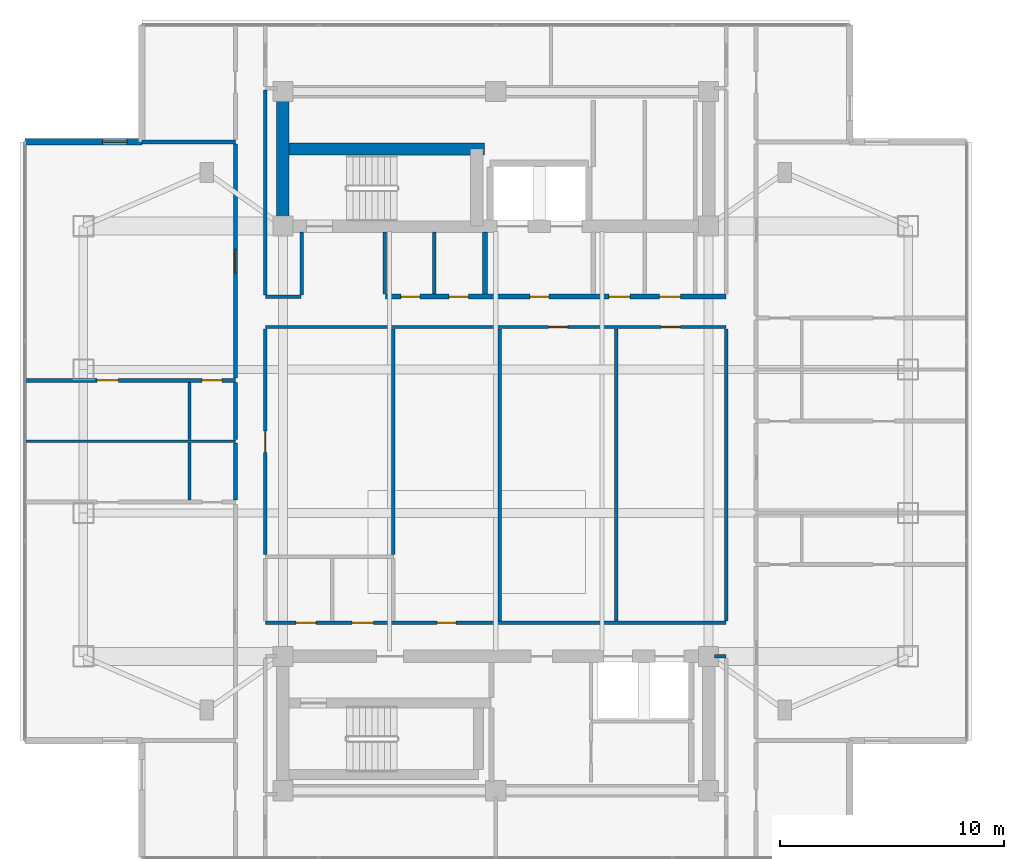
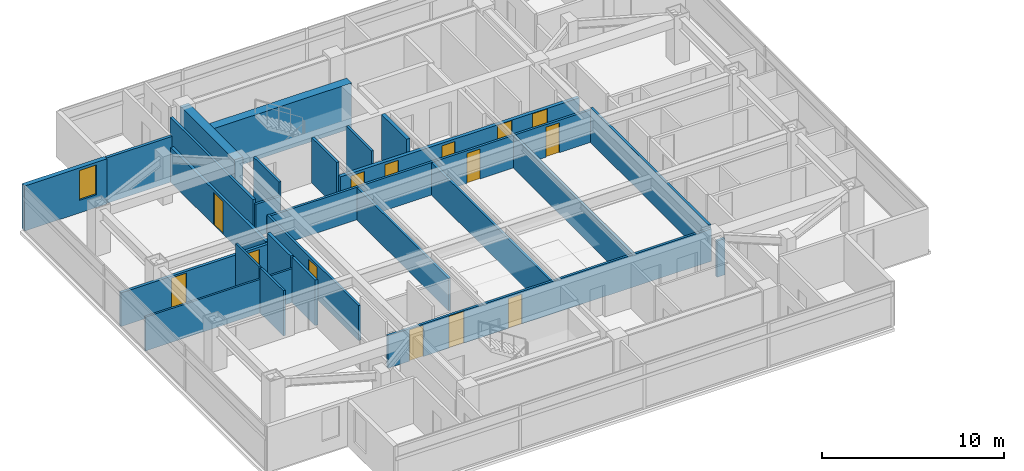
# One storey, part 14 of 26: 26 walls, 14 doors, 1 window, 15 openings.
"""IFC4 building model written with IfcOpenShell, lengths in metres."""

from ifc_helpers import new_model, si_unit, direction, frame, frame_2d, origin, place, context, subcontext, project, spatial, rectangle, extrude, material, layer, layer_set, type_object, element, fill, save


model = new_model("IFC4")

# Units and contexts
model_context = context("Model", 3, precision=1e-05, world=origin(), true_north=direction((0.0, 1.0)))
body_context = subcontext(model_context, "Body", "Model", "MODEL_VIEW")
ifc_project = project(units=[si_unit("LENGTHUNIT", "METRE"), si_unit("AREAUNIT", "SQUARE_METRE"), si_unit("VOLUMEUNIT", "CUBIC_METRE"), si_unit("PLANEANGLEUNIT", "RADIAN"), si_unit("MASSUNIT", "GRAM", prefix="KILO")], contexts=[model_context])

# Site, building, storey
site_placement = place(None, origin())
site = spatial("IfcSite", under=ifc_project, at=site_placement, CompositionType="ELEMENT")
building_placement = place(site_placement, origin())
building = spatial("IfcBuilding", under=site, at=building_placement, Name="Mirazonda Arch Towers", CompositionType="ELEMENT")
storey_placement = place(building_placement, frame((0.0, 0.0, 203.14990234375)))
storey = spatial("IfcBuildingStorey", under=building, at=storey_placement, Name="L58", CompositionType="ELEMENT", Elevation=203.14990234375)

# Walls
ifc_material_1 = material(Name="Concrete C50/60", Category="concrete")
ifc_layer_1 = layer(ifc_material_1, 0.550048828125, Name="WALL-CORE-550")
ifc_layer_set_1 = layer_set([ifc_layer_1], Name="Concrete C50/60")
wall_type_1 = type_object("IfcWallType", Name="WALL-CORE-550", PredefinedType="SHEAR", material=ifc_layer_set_1)
wall_1_placement = place(storey_placement, frame((11.0, 37.60009765625, 0.0), z_axis=(0.0, 0.0, 1.0), x_axis=(0.0, 1.0, 0.0)))
element("IfcWall", 1, at=wall_1_placement, inside=storey, type_object=wall_type_1, Name="L58 T1N-W Core Shear Wall", PredefinedType="SHEAR", context=body_context, shape_type="SweptSolid", body=[
    extrude(rectangle(XDim=6.0, YDim=0.550048828125, at=frame_2d((3.0, 0.0))), origin(), (0.0, 0.0, 1.0), 3.050048828125),
])
wall_2_placement = place(storey_placement, frame((11.0, 41.04296875, 0.0), z_axis=(0.0, 0.0, 1.0), x_axis=(1.0, 0.0, 0.0)))
element("IfcWall", 2, at=wall_2_placement, inside=storey, type_object=wall_type_1, Name="L58 T1N-STN Core Shear Wall", PredefinedType="SHEAR", context=body_context, shape_type="SweptSolid", body=[
    extrude(rectangle(XDim=9.0, YDim=0.550048828125, at=frame_2d((4.5, 0.0))), origin(), (0.0, 0.0, 1.0), 3.050048828125),
])

# Wall, opening, window
ifc_material_2 = material(Name="Precast Concrete C40/50", Category="concrete")
ifc_layer_2 = layer(ifc_material_2, 0.280029296875, Name="WALL-EXT-WALL-280")
ifc_layer_set_2 = layer_set([ifc_layer_2], Name="Precast Concrete C40/50")
wall_type_2 = type_object("IfcWallType", Name="WALL-EXT-WALL-280", PredefinedType="SOLIDWALL", material=ifc_layer_set_2)
wall_3_placement = place(storey_placement, frame((4.705078125, 41.363037109375, 0.0), z_axis=(0.0, 0.0, 1.0), x_axis=(-1.0, 0.0, 0.0)))
wall_3 = element("IfcWall", 3, at=wall_3_placement, inside=storey, type_object=wall_type_2, Name="L58 T1 Corner Notch Return Wall WL-L58-T1-CNW1", PredefinedType="SOLIDWALL", context=body_context, shape_type="SweptSolid", body=[
    extrude(rectangle(XDim=5.215087890625, YDim=0.280029296875, at=frame_2d((2.607421875, 0.0))), origin(), (0.0, 0.0, 1.0), 3.030029296875),
])
opening_1_placement = place(wall_3_placement, frame((0.64990234375, 0.0, 0.85009765625)))
opening_1 = element("IfcOpeningElement", 4, at=opening_1_placement, cuts=wall_3, Name="Opening WN-108", PredefinedType="OPENING", context=body_context, shape_type="SweptSolid", body=[
    extrude(rectangle(XDim=1.10009765625, YDim=2.0, at=frame_2d((0.550048828125, 1.0))), frame((0.0, 0.14990234375, 0.0), z_axis=(0.0, -1.0, 0.0), x_axis=(1.0, 0.0, 0.0)), (0.0, 0.0, 1.0), 0.300048828125),
])
ifc_material_3 = material(Name="Insulated Low-E Solar Glass", Category="glass")
window_type = type_object("IfcWindowType", Name="WIN-NOTCH-1100x2000", PartitioningType="SINGLE_PANEL", PredefinedType="WINDOW", material=ifc_material_3)
window_placement = place(opening_1_placement, origin())
window = element("IfcWindow", 5, at=window_placement, inside=storey, type_object=window_type, Name="L58 Punched Facade Window WN-L58-T1-CNW1", OverallHeight=2.0, OverallWidth=1.10009765625, PartitioningType="SINGLE_PANEL", PredefinedType="WINDOW", context=body_context, shape_type="SweptSolid", body=[
    extrude(rectangle(XDim=1.10009765625, YDim=2.0, at=frame_2d((0.550048828125, 1.0))), frame((0.0, 0.030029296875, 0.0), z_axis=(0.0, -1.0, 0.0), x_axis=(1.0, 0.0, 0.0)), (0.0, 0.0, 1.0), 0.06005859375),
])
fill(opening_1, window)

# Wall, openings, doors
ifc_material_4 = material(Name="Concrete C40/50", Category="concrete")
ifc_layer_3 = layer(ifc_material_4, 0.219970703125, Name="WALL-FFL-220")
ifc_layer_set_3 = layer_set([ifc_layer_3], Name="Concrete C40/50")
wall_type_3 = type_object("IfcWallType", Name="WALL-FFL-220", PredefinedType="SOLIDWALL", material=ifc_layer_set_3)
wall_4_placement = place(storey_placement, frame((15.590087890625, 34.449951171875, 0.0), z_axis=(0.0, 0.0, 1.0), x_axis=(1.0, 0.0, 0.0)))
wall_4 = element("IfcWall", 6, at=wall_4_placement, inside=storey, type_object=wall_type_3, Name="L58 Interior Partition 045", PredefinedType="SOLIDWALL", context=body_context, shape_type="SweptSolid", body=[
    extrude(rectangle(XDim=15.18994140625, YDim=0.219970703125, at=frame_2d((7.594970703125, 0.0))), origin(), (0.0, 0.0, 1.0), 2.18603515625),
])
opening_2_placement = place(wall_4_placement, frame((6.43505859375, 0.0, 0.0)))
opening_2 = element("IfcOpeningElement", 7, at=opening_2_placement, cuts=wall_4, Name="Opening DR-128", PredefinedType="OPENING", context=body_context, shape_type="SweptSolid", body=[
    extrude(rectangle(XDim=0.85009765625, YDim=2.010009765625, at=frame_2d((0.425048828125, 1.0048828125))), frame((0.0, 0.119873046875, 0.0), z_axis=(0.0, -1.0, 0.0), x_axis=(1.0, 0.0, 0.0)), (0.0, 0.0, 1.0), 0.239990234375),
])
opening_3_placement = place(wall_4_placement, frame((9.9599609375, 0.0, 0.0)))
opening_3 = element("IfcOpeningElement", 8, at=opening_3_placement, cuts=wall_4, Name="Opening DR-104", PredefinedType="OPENING", context=body_context, shape_type="SweptSolid", body=[
    extrude(rectangle(XDim=0.949951171875, YDim=2.14990234375, at=frame_2d((0.47509765625, 1.074951171875))), frame((0.0, 0.119873046875, 0.0), z_axis=(0.0, -1.0, 0.0), x_axis=(1.0, 0.0, 0.0)), (0.0, 0.0, 1.0), 0.239990234375),
])
opening_4_placement = place(wall_4_placement, frame((12.2099609375, 0.0, 0.0)))
opening_4 = element("IfcOpeningElement", 9, at=opening_4_placement, cuts=wall_4, Name="Opening DR-104", PredefinedType="OPENING", context=body_context, shape_type="SweptSolid", body=[
    extrude(rectangle(XDim=0.949951171875, YDim=2.14990234375, at=frame_2d((0.47509765625, 1.074951171875))), frame((0.0, 0.119873046875, 0.0), z_axis=(0.0, -1.0, 0.0), x_axis=(1.0, 0.0, 0.0)), (0.0, 0.0, 1.0), 0.239990234375),
])
opening_5_placement = place(wall_4_placement, frame((0.675048828125, 0.0, 0.0)))
opening_5 = element("IfcOpeningElement", 10, at=opening_5_placement, cuts=wall_4, Name="Opening DR-128", PredefinedType="OPENING", context=body_context, shape_type="SweptSolid", body=[
    extrude(rectangle(XDim=0.85009765625, YDim=2.010009765625, at=frame_2d((0.425048828125, 1.0048828125))), frame((0.0, 0.119873046875, 0.0), z_axis=(0.0, -1.0, 0.0), x_axis=(1.0, 0.0, 0.0)), (0.0, 0.0, 1.0), 0.239990234375),
])
opening_6_placement = place(wall_4_placement, frame((2.8349609375, 0.0, 0.0)))
opening_6 = element("IfcOpeningElement", 11, at=opening_6_placement, cuts=wall_4, Name="Opening DR-128", PredefinedType="OPENING", context=body_context, shape_type="SweptSolid", body=[
    extrude(rectangle(XDim=0.85009765625, YDim=2.010009765625, at=frame_2d((0.425048828125, 1.0048828125))), frame((0.0, 0.119873046875, 0.0), z_axis=(0.0, -1.0, 0.0), x_axis=(1.0, 0.0, 0.0)), (0.0, 0.0, 1.0), 0.239990234375),
])
ifc_material_5 = material(Name="Architectural Brushed Steel S355", Category="steel")
door_type_1 = type_object("IfcDoorType", Name="DOOR-RISER-FD60-850", OperationType="NOTDEFINED", PredefinedType="DOOR", material=ifc_material_5)
door_1_placement = place(opening_2_placement, origin())
door_1 = element("IfcDoor", 12, at=door_1_placement, inside=storey, type_object=door_type_1, Name="L58 Firefighting Lift Lobby Door", OperationType="SINGLE_SWING_RIGHT", OverallHeight=2.010009765625, OverallWidth=0.85009765625, PredefinedType="DOOR", context=body_context, shape_type="SweptSolid", body=[
    extrude(rectangle(XDim=0.85009765625, YDim=2.010009765625, at=frame_2d((0.425048828125, 1.0048828125))), frame((0.0, 0.02490234375, 0.0), z_axis=(0.0, -1.0, 0.0), x_axis=(1.0, 0.0, 0.0)), (0.0, 0.0, 1.0), 0.050048828125),
])
fill(opening_2, door_1)
door_2_placement = place(opening_5_placement, origin())
door_2 = element("IfcDoor", 13, at=door_2_placement, inside=storey, type_object=door_type_1, Name="L58 Electrical Room Door", OperationType="SINGLE_SWING_LEFT", OverallHeight=2.010009765625, OverallWidth=0.85009765625, PredefinedType="DOOR", context=body_context, shape_type="SweptSolid", body=[
    extrude(rectangle(XDim=0.85009765625, YDim=2.010009765625, at=frame_2d((0.425048828125, 1.0048828125))), frame((0.0, 0.02490234375, 0.0), z_axis=(0.0, -1.0, 0.0), x_axis=(1.0, 0.0, 0.0)), (0.0, 0.0, 1.0), 0.050048828125),
])
fill(opening_5, door_2)
door_3_placement = place(opening_6_placement, origin())
door_3 = element("IfcDoor", 14, at=door_3_placement, inside=storey, type_object=door_type_1, Name="L58 Cleaners & Housekeeping Store Door", OperationType="SINGLE_SWING_RIGHT", OverallHeight=2.010009765625, OverallWidth=0.85009765625, PredefinedType="DOOR", context=body_context, shape_type="SweptSolid", body=[
    extrude(rectangle(XDim=0.85009765625, YDim=2.010009765625, at=frame_2d((0.425048828125, 1.0048828125))), frame((0.0, 0.02490234375, 0.0), z_axis=(0.0, -1.0, 0.0), x_axis=(1.0, 0.0, 0.0)), (0.0, 0.0, 1.0), 0.050048828125),
])
fill(opening_6, door_3)
door_type_2 = type_object("IfcDoorType", Name="DOOR-ROOM-950", OperationType="NOTDEFINED", PredefinedType="DOOR", material=ifc_material_5)
door_4_placement = place(opening_3_placement, origin())
door_4 = element("IfcDoor", 15, at=door_4_placement, inside=storey, type_object=door_type_2, Name="L58 Residents Private Art Gallery Door", OperationType="SINGLE_SWING_LEFT", OverallHeight=2.14990234375, OverallWidth=0.949951171875, PredefinedType="DOOR", context=body_context, shape_type="SweptSolid", body=[
    extrude(rectangle(XDim=0.949951171875, YDim=2.14990234375, at=frame_2d((0.47509765625, 1.074951171875))), frame((0.0, 0.02490234375, 0.0), z_axis=(0.0, -1.0, 0.0), x_axis=(1.0, 0.0, 0.0)), (0.0, 0.0, 1.0), 0.050048828125),
])
fill(opening_3, door_4)
door_5_placement = place(opening_4_placement, origin())
door_5 = element("IfcDoor", 16, at=door_5_placement, inside=storey, type_object=door_type_2, Name="L58 Private Quiet Study Door", OperationType="SINGLE_SWING_RIGHT", OverallHeight=2.14990234375, OverallWidth=0.949951171875, PredefinedType="DOOR", context=body_context, shape_type="SweptSolid", body=[
    extrude(rectangle(XDim=0.949951171875, YDim=2.14990234375, at=frame_2d((0.47509765625, 1.074951171875))), frame((0.0, 0.02490234375, 0.0), z_axis=(0.0, -1.0, 0.0), x_axis=(1.0, 0.0, 0.0)), (0.0, 0.0, 1.0), 0.050048828125),
])
fill(opening_4, door_5)

# Walls
wall_5_placement = place(storey_placement, frame((20.02490234375, 34.570068359375, 0.0), z_axis=(0.0, 0.0, 1.0), x_axis=(0.0, 1.0, 0.0)))
element("IfcWall", 17, at=wall_5_placement, inside=storey, type_object=wall_type_3, Name="L58 Interior Partition 079", PredefinedType="SOLIDWALL", context=body_context, shape_type="SweptSolid", body=[
    extrude(rectangle(XDim=2.760009765625, YDim=0.219970703125, at=frame_2d((1.3798828125, 0.0))), origin(), (0.0, 0.0, 1.0), 3.050048828125),
])
ifc_material_6 = material(Name="Fire-Rated Gypsum Stud Partition")
ifc_layer_4 = layer(ifc_material_6, 0.14990234375, Name="WALL-PART-CORR-150")
ifc_layer_set_4 = layer_set([ifc_layer_4], Name="Fire-Rated Gypsum Stud Partition")
wall_type_4 = type_object("IfcWallType", Name="WALL-PART-CORR-150", PredefinedType="PARTITIONING", material=ifc_layer_set_4)
wall_6_placement = place(storey_placement, frame((30.27001953125, 18.39990234375, 0.0), z_axis=(0.0, 0.0, 1.0), x_axis=(1.0, 0.0, 0.0)))
element("IfcWall", 18, at=wall_6_placement, inside=storey, type_object=wall_type_4, Name="L58 Interior Partition 012", PredefinedType="PARTITIONING", context=body_context, shape_type="SweptSolid", body=[
    extrude(rectangle(XDim=0.510009765625, YDim=0.14990234375, at=frame_2d((0.2548828125, 0.0))), origin(), (0.0, 0.0, 1.0), 2.442138671875),
])

# Wall, openings, doors
wall_7_placement = place(storey_placement, frame((10.219970703125, 19.89990234375, 0.0), z_axis=(0.0, 0.0, 1.0), x_axis=(1.0, 0.0, 0.0)))
wall_7 = element("IfcWall", 19, at=wall_7_placement, inside=storey, type_object=wall_type_4, Name="L58 Interior Partition 014", PredefinedType="PARTITIONING", context=body_context, shape_type="SweptSolid", body=[
    extrude(rectangle(XDim=20.56005859375, YDim=0.14990234375, at=frame_2d((10.280029296875, 0.0))), origin(), (0.0, 0.0, 1.0), 2.18603515625),
])
opening_7_placement = place(wall_7_placement, frame((1.360107421875, 0.0, 0.0)))
opening_7 = element("IfcOpeningElement", 20, at=opening_7_placement, cuts=wall_7, Name="Opening DR-120", PredefinedType="OPENING", context=body_context, shape_type="SweptSolid", body=[
    extrude(rectangle(XDim=0.89990234375, YDim=2.10009765625, at=frame_2d((0.449951171875, 1.050048828125))), frame((0.0, 0.0849609375, 0.0), z_axis=(0.0, -1.0, 0.0), x_axis=(1.0, 0.0, 0.0)), (0.0, 0.0, 1.0), 0.169921875),
])
opening_8_placement = place(wall_7_placement, frame((3.8701171875, 0.0, 0.0)))
opening_8 = element("IfcOpeningElement", 21, at=opening_8_placement, cuts=wall_7, Name="Opening DR-104", PredefinedType="OPENING", context=body_context, shape_type="SweptSolid", body=[
    extrude(rectangle(XDim=0.949951171875, YDim=2.14990234375, at=frame_2d((0.47509765625, 1.074951171875))), frame((0.0, 0.0849609375, 0.0), z_axis=(0.0, -1.0, 0.0), x_axis=(1.0, 0.0, 0.0)), (0.0, 0.0, 1.0), 0.169921875),
])
opening_9_placement = place(wall_7_placement, frame((7.660888671875, 0.0, 0.0)))
opening_9 = element("IfcOpeningElement", 22, at=opening_9_placement, cuts=wall_7, Name="Opening DR-128", PredefinedType="OPENING", context=body_context, shape_type="SweptSolid", body=[
    extrude(rectangle(XDim=0.85009765625, YDim=2.010009765625, at=frame_2d((0.425048828125, 1.0048828125))), frame((0.0, 0.0849609375, 0.0), z_axis=(0.0, -1.0, 0.0), x_axis=(1.0, 0.0, 0.0)), (0.0, 0.0, 1.0), 0.169921875),
])
door_6_placement = place(opening_9_placement, origin())
door_6 = element("IfcDoor", 23, at=door_6_placement, inside=storey, type_object=door_type_1, Name="L58 Executive Club Lounge Door", OperationType="SINGLE_SWING_LEFT", OverallHeight=2.010009765625, OverallWidth=0.85009765625, PredefinedType="DOOR", context=body_context, shape_type="SweptSolid", body=[
    extrude(rectangle(XDim=0.85009765625, YDim=2.010009765625, at=frame_2d((0.425048828125, 1.0048828125))), frame((0.0, 0.02490234375, 0.0), z_axis=(0.0, -1.0, 0.0), x_axis=(1.0, 0.0, 0.0)), (0.0, 0.0, 1.0), 0.050048828125),
])
fill(opening_9, door_6)
door_7_placement = place(opening_8_placement, origin())
door_7 = element("IfcDoor", 24, at=door_7_placement, inside=storey, type_object=door_type_2, Name="L58 L58 West Courtyard Study Door", OperationType="SINGLE_SWING_LEFT", OverallHeight=2.14990234375, OverallWidth=0.949951171875, PredefinedType="DOOR", context=body_context, shape_type="SweptSolid", body=[
    extrude(rectangle(XDim=0.949951171875, YDim=2.14990234375, at=frame_2d((0.47509765625, 1.074951171875))), frame((0.0, 0.02490234375, 0.0), z_axis=(0.0, -1.0, 0.0), x_axis=(1.0, 0.0, 0.0)), (0.0, 0.0, 1.0), 0.050048828125),
])
fill(opening_8, door_7)
door_type_3 = type_object("IfcDoorType", Name="DOOR-WC-900", OperationType="NOTDEFINED", PredefinedType="DOOR", material=ifc_material_5)
door_8_placement = place(opening_7_placement, origin())
door_8 = element("IfcDoor", 25, at=door_8_placement, inside=storey, type_object=door_type_3, Name="L58 Common Accessible WC Door", OperationType="SINGLE_SWING_LEFT", OverallHeight=2.10009765625, OverallWidth=0.89990234375, PredefinedType="DOOR", context=body_context, shape_type="SweptSolid", body=[
    extrude(rectangle(XDim=0.89990234375, YDim=2.10009765625, at=frame_2d((0.449951171875, 1.050048828125))), frame((0.0, 0.02490234375, 0.0), z_axis=(0.0, -1.0, 0.0), x_axis=(1.0, 0.0, 0.0)), (0.0, 0.0, 1.0), 0.050048828125),
])
fill(opening_7, door_8)

wall_8_placement = place(storey_placement, frame((10.219970703125, 33.10009765625, 0.0), z_axis=(0.0, 0.0, 1.0), x_axis=(1.0, 0.0, 0.0)))
wall_8 = element("IfcWall", 26, at=wall_8_placement, inside=storey, type_object=wall_type_4, Name="L58 Interior Partition 042", PredefinedType="PARTITIONING", context=body_context, shape_type="SweptSolid", body=[
    extrude(rectangle(XDim=20.56005859375, YDim=0.14990234375, at=frame_2d((10.280029296875, 0.0))), origin(), (0.0, 0.0, 1.0), 2.18603515625),
])
opening_10_placement = place(wall_8_placement, frame((12.635986328125, 0.0, 0.0)))
opening_10 = element("IfcOpeningElement", 27, at=opening_10_placement, cuts=wall_8, Name="Opening DR-128", PredefinedType="OPENING", context=body_context, shape_type="SweptSolid", body=[
    extrude(rectangle(XDim=0.85009765625, YDim=2.010009765625, at=frame_2d((0.425048828125, 1.0048828125))), frame((0.0, 0.0849609375, 0.0), z_axis=(0.0, -1.0, 0.0), x_axis=(1.0, 0.0, 0.0)), (0.0, 0.0, 1.0), 0.169921875),
])
opening_11_placement = place(wall_8_placement, frame((17.6650390625, 0.0, 0.0)))
opening_11 = element("IfcOpeningElement", 28, at=opening_11_placement, cuts=wall_8, Name="Opening DR-128", PredefinedType="OPENING", context=body_context, shape_type="SweptSolid", body=[
    extrude(rectangle(XDim=0.85009765625, YDim=2.010009765625, at=frame_2d((0.425048828125, 1.0048828125))), frame((0.0, 0.0849609375, 0.0), z_axis=(0.0, -1.0, 0.0), x_axis=(1.0, 0.0, 0.0)), (0.0, 0.0, 1.0), 0.169921875),
])
door_9_placement = place(opening_10_placement, origin())
door_9 = element("IfcDoor", 29, at=door_9_placement, inside=storey, type_object=door_type_1, Name="L58 Concierge Salon Door", OperationType="SINGLE_SWING_RIGHT", OverallHeight=2.010009765625, OverallWidth=0.85009765625, PredefinedType="DOOR", context=body_context, shape_type="SweptSolid", body=[
    extrude(rectangle(XDim=0.85009765625, YDim=2.010009765625, at=frame_2d((0.425048828125, 1.0048828125))), frame((0.0, 0.02490234375, 0.0), z_axis=(0.0, -1.0, 0.0), x_axis=(1.0, 0.0, 0.0)), (0.0, 0.0, 1.0), 0.050048828125),
])
fill(opening_10, door_9)
door_10_placement = place(opening_11_placement, origin())
door_10 = element("IfcDoor", 30, at=door_10_placement, inside=storey, type_object=door_type_1, Name="L58 Private Meeting Suite Door", OperationType="SINGLE_SWING_LEFT", OverallHeight=2.010009765625, OverallWidth=0.85009765625, PredefinedType="DOOR", context=body_context, shape_type="SweptSolid", body=[
    extrude(rectangle(XDim=0.85009765625, YDim=2.010009765625, at=frame_2d((0.425048828125, 1.0048828125))), frame((0.0, 0.02490234375, 0.0), z_axis=(0.0, -1.0, 0.0), x_axis=(1.0, 0.0, 0.0)), (0.0, 0.0, 1.0), 0.050048828125),
])
fill(opening_11, door_10)

# Wall
wall_9_placement = place(storey_placement, frame((10.219970703125, 34.449951171875, 0.0), z_axis=(0.0, 0.0, 1.0), x_axis=(1.0, 0.0, 0.0)))
element("IfcWall", 31, at=wall_9_placement, inside=storey, type_object=wall_type_4, Name="L58 Interior Partition 044", PredefinedType="PARTITIONING", context=body_context, shape_type="SweptSolid", body=[
    extrude(rectangle(XDim=1.580078125, YDim=0.14990234375, at=frame_2d((0.7900390625, 0.0))), origin(), (0.0, 0.0, 1.0), 2.18603515625),
])

# Wall, opening, door
wall_10_placement = place(storey_placement, frame((10.219970703125, 22.93505859375, 0.0), z_axis=(0.0, 0.0, 1.0), x_axis=(0.0, 1.0, 0.0)))
wall_10 = element("IfcWall", 32, at=wall_10_placement, inside=storey, type_object=wall_type_4, Name="L58 Interior Partition 069", PredefinedType="PARTITIONING", context=body_context, shape_type="SweptSolid", body=[
    extrude(rectangle(XDim=10.079833984375, YDim=0.14990234375, at=frame_2d((5.0400390625, 0.0))), origin(), (0.0, 0.0, 1.0), 2.34619140625),
])
opening_12_placement = place(wall_10_placement, frame((4.56494140625, 0.0, 0.0)))
opening_12 = element("IfcOpeningElement", 33, at=opening_12_placement, cuts=wall_10, Name="Opening DR-104", PredefinedType="OPENING", context=body_context, shape_type="SweptSolid", body=[
    extrude(rectangle(XDim=0.949951171875, YDim=2.14990234375, at=frame_2d((0.47509765625, 1.074951171875))), frame((0.0, 0.0849609375, 0.0), z_axis=(0.0, -1.0, 0.0), x_axis=(1.0, 0.0, 0.0)), (0.0, 0.0, 1.0), 0.169921875),
])
door_11_placement = place(opening_12_placement, origin())
door_11 = element("IfcDoor", 34, at=door_11_placement, inside=storey, type_object=door_type_2, Name="L58 L58 West Courtyard Salon Door", OperationType="SINGLE_SWING_RIGHT", OverallHeight=2.14990234375, OverallWidth=0.949951171875, PredefinedType="DOOR", context=body_context, shape_type="SweptSolid", body=[
    extrude(rectangle(XDim=0.949951171875, YDim=2.14990234375, at=frame_2d((0.47509765625, 1.074951171875))), frame((0.0, 0.02490234375, 0.0), z_axis=(0.0, -1.0, 0.0), x_axis=(1.0, 0.0, 0.0)), (0.0, 0.0, 1.0), 0.050048828125),
])
fill(opening_12, door_11)

# Walls
wall_11_placement = place(storey_placement, frame((10.219970703125, 34.534912109375, 0.0), z_axis=(0.0, 0.0, 1.0), x_axis=(0.0, 1.0, 0.0)))
element("IfcWall", 35, at=wall_11_placement, inside=storey, type_object=wall_type_4, Name="L58 Interior Partition 070", PredefinedType="PARTITIONING", context=body_context, shape_type="SweptSolid", body=[
    extrude(rectangle(XDim=9.130126953125, YDim=0.14990234375, at=frame_2d((4.56494140625, 0.0))), origin(), (0.0, 0.0, 1.0), 2.442138671875),
])
wall_12_placement = place(storey_placement, frame((11.85009765625, 34.534912109375, 0.0), z_axis=(0.0, 0.0, 1.0), x_axis=(0.0, 1.0, 0.0)))
element("IfcWall", 36, at=wall_12_placement, inside=storey, type_object=wall_type_4, Name="L58 Interior Partition 072", PredefinedType="PARTITIONING", context=body_context, shape_type="SweptSolid", body=[
    extrude(rectangle(XDim=2.795166015625, YDim=0.14990234375, at=frame_2d((1.3974609375, 0.0))), origin(), (0.0, 0.0, 1.0), 3.050048828125),
])
wall_13_placement = place(storey_placement, frame((15.550048828125, 34.570068359375, 0.0), z_axis=(0.0, 0.0, 1.0), x_axis=(0.0, 1.0, 0.0)))
element("IfcWall", 37, at=wall_13_placement, inside=storey, type_object=wall_type_4, Name="L58 Interior Partition 074", PredefinedType="PARTITIONING", context=body_context, shape_type="SweptSolid", body=[
    extrude(rectangle(XDim=2.760009765625, YDim=0.14990234375, at=frame_2d((1.3798828125, 0.0))), origin(), (0.0, 0.0, 1.0), 3.050048828125),
])
wall_14_placement = place(storey_placement, frame((15.929931640625, 22.93505859375, 0.0), z_axis=(0.0, 0.0, 1.0), x_axis=(0.0, 1.0, 0.0)))
element("IfcWall", 38, at=wall_14_placement, inside=storey, type_object=wall_type_4, Name="L58 Interior Partition 076", PredefinedType="PARTITIONING", context=body_context, shape_type="SweptSolid", body=[
    extrude(rectangle(XDim=10.079833984375, YDim=0.14990234375, at=frame_2d((5.0400390625, 0.0))), origin(), (0.0, 0.0, 1.0), 2.18603515625),
])
wall_15_placement = place(storey_placement, frame((17.75, 34.570068359375, 0.0), z_axis=(0.0, 0.0, 1.0), x_axis=(0.0, 1.0, 0.0)))
element("IfcWall", 39, at=wall_15_placement, inside=storey, type_object=wall_type_4, Name="L58 Interior Partition 077", PredefinedType="PARTITIONING", context=body_context, shape_type="SweptSolid", body=[
    extrude(rectangle(XDim=2.760009765625, YDim=0.14990234375, at=frame_2d((1.3798828125, 0.0))), origin(), (0.0, 0.0, 1.0), 3.050048828125),
])
for number, where, z_axis, x_axis, name in (
    (40, (20.681884765625, 19.985107421875, 0.0), (0.0, 0.0, 1.0), (0.0, 1.0, 0.0), "L58 Interior Partition 084"),
    (41, (25.8798828125, 19.985107421875, 0.0), (0.0, 0.0, 1.0), (0.0, 1.0, 0.0), "L58 Interior Partition 091"),
):
    element("IfcWall", number, at=place(storey_placement, frame(where, z_axis=z_axis, x_axis=x_axis)), inside=storey, type_object=wall_type_4, Name=name, PredefinedType="PARTITIONING", context=body_context, shape_type="SweptSolid", body=[
        extrude(rectangle(XDim=13.02978515625, YDim=0.14990234375, at=frame_2d((6.514892578125, 0.0))), origin(), (0.0, 0.0, 1.0), 2.18603515625),
    ])
wall_16_placement = place(storey_placement, frame((30.780029296875, 19.985107421875, 0.0), z_axis=(0.0, 0.0, 1.0), x_axis=(0.0, 1.0, 0.0)))
element("IfcWall", 42, at=wall_16_placement, inside=storey, type_object=wall_type_4, Name="L58 Interior Partition 100", PredefinedType="PARTITIONING", context=body_context, shape_type="SweptSolid", body=[
    extrude(rectangle(XDim=13.02978515625, YDim=0.14990234375, at=frame_2d((6.514892578125, 0.0))), origin(), (0.0, 0.0, 1.0), 2.34619140625),
])

# Wall, openings, doors
ifc_material_7 = material(Name="Fire-Rated Gypsum Twin-Stud Assembly")
ifc_layer_5 = layer(ifc_material_7, 0.179931640625, Name="WALL-PART-DEMISE-180")
ifc_layer_set_5 = layer_set([ifc_layer_5], Name="Fire-Rated Gypsum Twin-Stud Assembly")
wall_type_5 = type_object("IfcWallType", Name="WALL-PART-DEMISE-180", PredefinedType="PARTITIONING", material=ifc_layer_set_5)
wall_17_placement = place(storey_placement, frame((-0.510009765625, 30.719970703125, 0.0), z_axis=(0.0, 0.0, 1.0), x_axis=(1.0, 0.0, 0.0)))
wall_17 = element("IfcWall", 43, at=wall_17_placement, inside=storey, type_object=wall_type_5, Name="L58 Interior Partition 037", PredefinedType="PARTITIONING", context=body_context, shape_type="SweptSolid", body=[
    extrude(rectangle(XDim=9.389892578125, YDim=0.179931640625, at=frame_2d((4.69482421875, 0.0))), origin(), (0.0, 0.0, 1.0), 2.26904296875),
])
opening_13_placement = place(wall_17_placement, frame((3.219970703125, 0.0, 0.0)))
opening_13 = element("IfcOpeningElement", 44, at=opening_13_placement, cuts=wall_17, Name="Opening DR-104", PredefinedType="OPENING", context=body_context, shape_type="SweptSolid", body=[
    extrude(rectangle(XDim=0.949951171875, YDim=2.14990234375, at=frame_2d((0.47509765625, 1.074951171875))), frame((0.0, 0.099853515625, 0.0), z_axis=(0.0, -1.0, 0.0), x_axis=(1.0, 0.0, 0.0)), (0.0, 0.0, 1.0), 0.199951171875),
])
opening_14_placement = place(wall_17_placement, frame((7.89990234375, 0.0, 0.0)))
opening_14 = element("IfcOpeningElement", 45, at=opening_14_placement, cuts=wall_17, Name="Opening DR-120", PredefinedType="OPENING", context=body_context, shape_type="SweptSolid", body=[
    extrude(rectangle(XDim=0.89990234375, YDim=2.10009765625, at=frame_2d((0.449951171875, 1.050048828125))), frame((0.0, 0.099853515625, 0.0), z_axis=(0.0, -1.0, 0.0), x_axis=(1.0, 0.0, 0.0)), (0.0, 0.0, 1.0), 0.199951171875),
])
door_12_placement = place(opening_13_placement, origin())
door_12 = element("IfcDoor", 46, at=door_12_placement, inside=storey, type_object=door_type_2, Name="L58 Suite Bedroom 2 Door", OperationType="SINGLE_SWING_RIGHT", OverallHeight=2.14990234375, OverallWidth=0.949951171875, PredefinedType="DOOR", context=body_context, shape_type="SweptSolid", body=[
    extrude(rectangle(XDim=0.949951171875, YDim=2.14990234375, at=frame_2d((0.47509765625, 1.074951171875))), frame((0.0, 0.02490234375, 0.0), z_axis=(0.0, -1.0, 0.0), x_axis=(1.0, 0.0, 0.0)), (0.0, 0.0, 1.0), 0.050048828125),
])
fill(opening_13, door_12)
door_13_placement = place(opening_14_placement, origin())
door_13 = element("IfcDoor", 47, at=door_13_placement, inside=storey, type_object=door_type_3, Name="L58 Suite En-Suite Bathroom 2 Door", OperationType="SINGLE_SWING_LEFT", OverallHeight=2.10009765625, OverallWidth=0.89990234375, PredefinedType="DOOR", context=body_context, shape_type="SweptSolid", body=[
    extrude(rectangle(XDim=0.89990234375, YDim=2.10009765625, at=frame_2d((0.449951171875, 1.050048828125))), frame((0.0, 0.02490234375, 0.0), z_axis=(0.0, -1.0, 0.0), x_axis=(1.0, 0.0, 0.0)), (0.0, 0.0, 1.0), 0.050048828125),
])
fill(opening_14, door_13)

# Walls
wall_18_placement = place(storey_placement, frame((4.72509765625, 41.363037109375, 0.0), z_axis=(0.0, 0.0, 1.0), x_axis=(1.0, 0.0, 0.0)))
element("IfcWall", 48, at=wall_18_placement, inside=storey, type_object=wall_type_5, Name="L58 Interior Partition 054", PredefinedType="PARTITIONING", context=body_context, shape_type="SweptSolid", body=[
    extrude(rectangle(XDim=4.15478515625, YDim=0.179931640625, at=frame_2d((2.077392578125, 0.0))), origin(), (0.0, 0.0, 1.0), 3.050048828125),
])
for number, where, z_axis, x_axis, name in (
    (49, (8.8798828125, 25.3798828125, 0.0), (0.0, 0.0, 1.0), (0.0, 1.0, 0.0), "L58 Interior Partition 062"),
    (50, (8.8798828125, 28.072509765625, 0.0), (0.0, 0.0, 1.0), (0.0, 1.0, 0.0), "L58 Interior Partition 063"),
):
    element("IfcWall", number, at=place(storey_placement, frame(where, z_axis=z_axis, x_axis=x_axis)), inside=storey, type_object=wall_type_5, Name=name, PredefinedType="PARTITIONING", context=body_context, shape_type="SweptSolid", body=[
        extrude(rectangle(XDim=2.547607421875, YDim=0.179931640625, at=frame_2d((1.27392578125, 0.0))), origin(), (0.0, 0.0, 1.0), 3.050048828125),
    ])

# Wall, opening, door
wall_19_placement = place(storey_placement, frame((8.8798828125, 30.820068359375, 0.0), z_axis=(0.0, 0.0, 1.0), x_axis=(0.0, 1.0, 0.0)))
wall_19 = element("IfcWall", 51, at=wall_19_placement, inside=storey, type_object=wall_type_5, Name="L58 Interior Partition 064", PredefinedType="PARTITIONING", context=body_context, shape_type="SweptSolid", body=[
    extrude(rectangle(XDim=10.44287109375, YDim=0.179931640625, at=frame_2d((5.221435546875, 0.0))), origin(), (0.0, 0.0, 1.0), 2.34619140625),
])
opening_15_placement = place(wall_19_placement, frame((4.696533203125, 0.0, 0.0)))
opening_15 = element("IfcOpeningElement", 52, at=opening_15_placement, cuts=wall_19, Name="Opening DR-121", PredefinedType="OPENING", context=body_context, shape_type="SweptSolid", body=[
    extrude(rectangle(XDim=1.050048828125, YDim=2.199951171875, at=frame_2d((0.52490234375, 1.10009765625))), frame((0.0, 0.099853515625, 0.0), z_axis=(0.0, -1.0, 0.0), x_axis=(1.0, 0.0, 0.0)), (0.0, 0.0, 1.0), 0.199951171875),
])
door_type_4 = type_object("IfcDoorType", Name="DOOR-SUITE-FD60-1050", OperationType="NOTDEFINED", PredefinedType="DOOR", material=ifc_material_5)
door_14_placement = place(opening_15_placement, origin())
door_14 = element("IfcDoor", 53, at=door_14_placement, inside=storey, type_object=door_type_4, Name="L58 Presidential Hotel Suite 2 Door", OperationType="SINGLE_SWING_LEFT", OverallHeight=2.199951171875, OverallWidth=1.050048828125, PredefinedType="DOOR", context=body_context, shape_type="SweptSolid", body=[
    extrude(rectangle(XDim=1.050048828125, YDim=2.199951171875, at=frame_2d((0.52490234375, 1.10009765625))), frame((0.0, 0.02490234375, 0.0), z_axis=(0.0, -1.0, 0.0), x_axis=(1.0, 0.0, 0.0)), (0.0, 0.0, 1.0), 0.050048828125),
])
fill(opening_15, door_14)

# Walls
ifc_material_8 = material(Name="Acoustic Fire-Rated Gypsum Partition")
ifc_layer_6 = layer(ifc_material_8, 0.125, Name="WALL-PART-UNIT-125")
ifc_layer_set_6 = layer_set([ifc_layer_6], Name="Acoustic Fire-Rated Gypsum Partition")
wall_type_6 = type_object("IfcWallType", Name="WALL-PART-UNIT-125", PredefinedType="PARTITIONING", material=ifc_layer_set_6)
wall_20_placement = place(storey_placement, frame((-0.510009765625, 28.0, 0.0), z_axis=(0.0, 0.0, 1.0), x_axis=(1.0, 0.0, 0.0)))
element("IfcWall", 54, at=wall_20_placement, inside=storey, type_object=wall_type_6, Name="L58 Interior Partition 031", PredefinedType="PARTITIONING", context=body_context, shape_type="SweptSolid", body=[
    extrude(rectangle(XDim=9.389892578125, YDim=0.125, at=frame_2d((4.69482421875, 0.0))), origin(), (0.0, 0.0, 1.0), 2.26904296875),
])
for number, where, z_axis, x_axis, name in (
    (55, (6.840087890625, 25.3798828125, 0.0), (0.0, 0.0, 1.0), (0.0, 1.0, 0.0), "L58 Interior Partition 058"),
    (56, (6.840087890625, 28.072509765625, 0.0), (0.0, 0.0, 1.0), (0.0, 1.0, 0.0), "L58 Interior Partition 059"),
):
    element("IfcWall", number, at=place(storey_placement, frame(where, z_axis=z_axis, x_axis=x_axis)), inside=storey, type_object=wall_type_6, Name=name, PredefinedType="PARTITIONING", context=body_context, shape_type="SweptSolid", body=[
        extrude(rectangle(XDim=2.547607421875, YDim=0.125, at=frame_2d((1.27392578125, 0.0))), origin(), (0.0, 0.0, 1.0), 3.050048828125),
    ])

save(model, "model.ifc")
